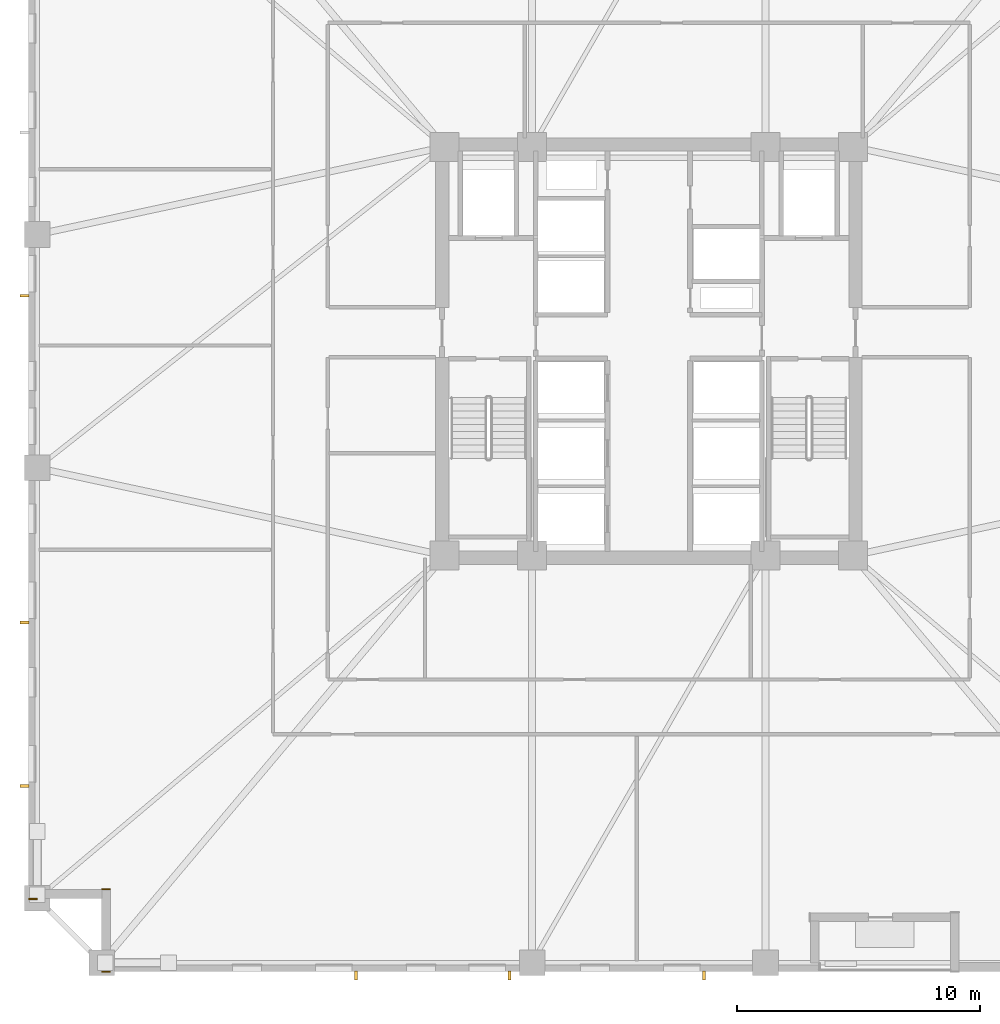
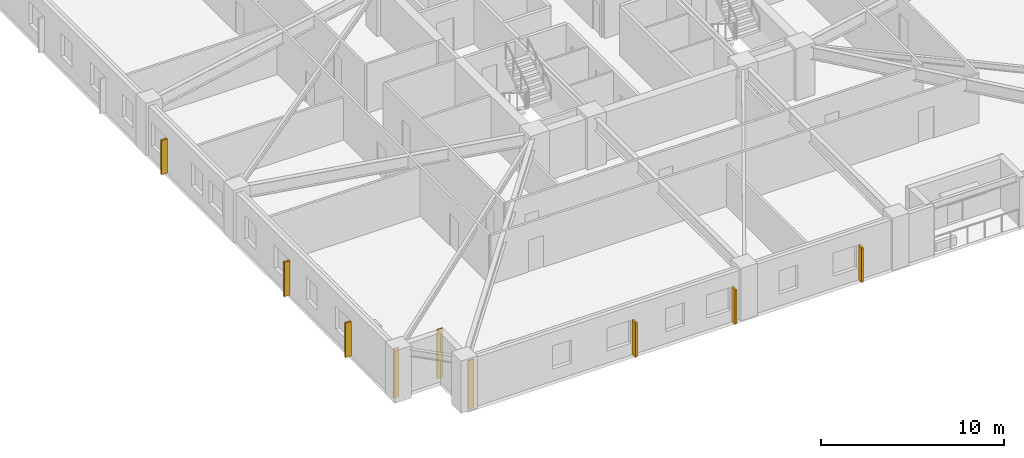
# One storey, part 7 of 11: 6 shading devices, 3 coverings.
"""IFC4 building model written with IfcOpenShell, lengths in metres."""

from ifc_helpers import new_model, si_unit, direction, frame, frame_2d, origin, origin_2d, place, context, subcontext, project, spatial, rectangle, extrude, material, layer, layer_set, type_object, element, save


model = new_model("IFC4")

# Units and contexts
model_context = context("Model", 3, precision=1e-05, world=origin(), true_north=direction((0.0, 1.0)))
body_context = subcontext(model_context, "Body", "Model", "MODEL_VIEW")
ifc_project = project(units=[si_unit("LENGTHUNIT", "METRE"), si_unit("AREAUNIT", "SQUARE_METRE"), si_unit("VOLUMEUNIT", "CUBIC_METRE"), si_unit("PLANEANGLEUNIT", "RADIAN"), si_unit("MASSUNIT", "GRAM", prefix="KILO")], contexts=[model_context])

# Site, building, storey
site_placement = place(None, origin())
site = spatial("IfcSite", under=ifc_project, at=site_placement, CompositionType="ELEMENT")
building_placement = place(site_placement, origin())
building = spatial("IfcBuilding", under=site, at=building_placement, Name="Cairnveth Concourse Tower", CompositionType="ELEMENT")
storey_placement = place(building_placement, frame((0.0, 0.0, 51.5)))
storey = spatial("IfcBuildingStorey", under=building, at=storey_placement, Name="L13", CompositionType="ELEMENT", Elevation=51.5)

# Coverings
ifc_material_1 = material(Name="Dressed Melbourne Bluestone Cladding", Category="masonry")
ifc_layer = layer(ifc_material_1, 0.050048828125)
ifc_layer_set = layer_set([ifc_layer], Name="Dressed Melbourne Bluestone Cladding")
covering_type = type_object("IfcCoveringType", Name="DRESSED BLUESTONE PLINTH CLADDING 50", PredefinedType="CLADDING", material=ifc_layer_set)
for number, where, z_axis, x_axis, name in (
    (1, (29.860107421875, 13.47998046875, 0.0), (0.0, 0.0, 1.0), (-1.0, 0.0, 0.0), "Melbourne Bluestone Corner Quoin L13-152"),
    (2, (29.860107421875, 16.8798828125, 0.0), (0.0, 0.0, 1.0), (-1.0, 0.0, 0.0), "Melbourne Bluestone Corner Quoin L13-153"),
    (3, (26.860107421875, 16.47998046875, 0.0), (0.0, 0.0, 1.0), (-1.0, 0.0, 0.0), "Melbourne Bluestone Corner Quoin L13-154"),
):
    element("IfcCovering", number, at=place(storey_placement, frame(where, z_axis=z_axis, x_axis=x_axis)), inside=storey, type_object=covering_type, Name=name, PredefinedType="CLADDING", context=body_context, shape_type="SweptSolid", body=[
        extrude(rectangle(XDim=0.360107421875, YDim=0.050048828125, at=frame_2d((0.18017578125, 0.0))), origin(), (0.0, 0.0, 1.0), 3.280029296875),
    ])

# Shading devices
ifc_material_2 = material(Name="Architectural Bronze Anodised Aluminium 6063-T6", Category="aluminium")
shading_device_type = type_object("IfcShadingDeviceType", Name="GOTHIC BRONZE VERTICAL LANCET FIN", PredefinedType="USERDEFINED", material=ifc_material_2)
for number, where, z_axis, x_axis, name in (
    (4, (54.271484375, 13.324951171875, 0.02978515625), (0.0, 0.0, 1.0), (1.0, 0.0, 0.0), "Gothic Bronze Vertical Fin L13-0-1"),
    (5, (46.267578125, 13.324951171875, 0.02978515625), (0.0, 0.0, 1.0), (1.0, 0.0, 0.0), "Gothic Bronze Vertical Fin L13-0-3"),
    (6, (39.96337890625, 13.324951171875, 0.02978515625), (0.0, 0.0, 1.0), (1.0, 0.0, 0.0), "Gothic Bronze Vertical Fin L13-0-5"),
    (7, (26.324951171875, 21.1201171875, 0.02978515625), (0.0, 0.0, 1.0), (0.0, 1.0, 0.0), "Gothic Bronze Vertical Fin L13-3-1"),
    (8, (26.324951171875, 27.840576171875, 0.02978515625), (0.0, 0.0, 1.0), (0.0, 1.0, 0.0), "Gothic Bronze Vertical Fin L13-3-3"),
    (9, (26.324951171875, 41.28125, 0.02978515625), (0.0, 0.0, 1.0), (0.0, 1.0, 0.0), "Gothic Bronze Vertical Fin L13-3-7"),
):
    element("IfcShadingDevice", number, at=place(storey_placement, frame(where, z_axis=z_axis, x_axis=x_axis)), inside=storey, type_object=shading_device_type, Name=name, ObjectType="VERTICAL FIN", PredefinedType="USERDEFINED", context=body_context, shape_type="SweptSolid", body=[
        extrude(rectangle(XDim=0.1201171875, YDim=0.360107421875, at=origin_2d()), origin(), (0.0, 0.0, 1.0), 2.303955078125),
    ])

save(model, "model.ifc")
